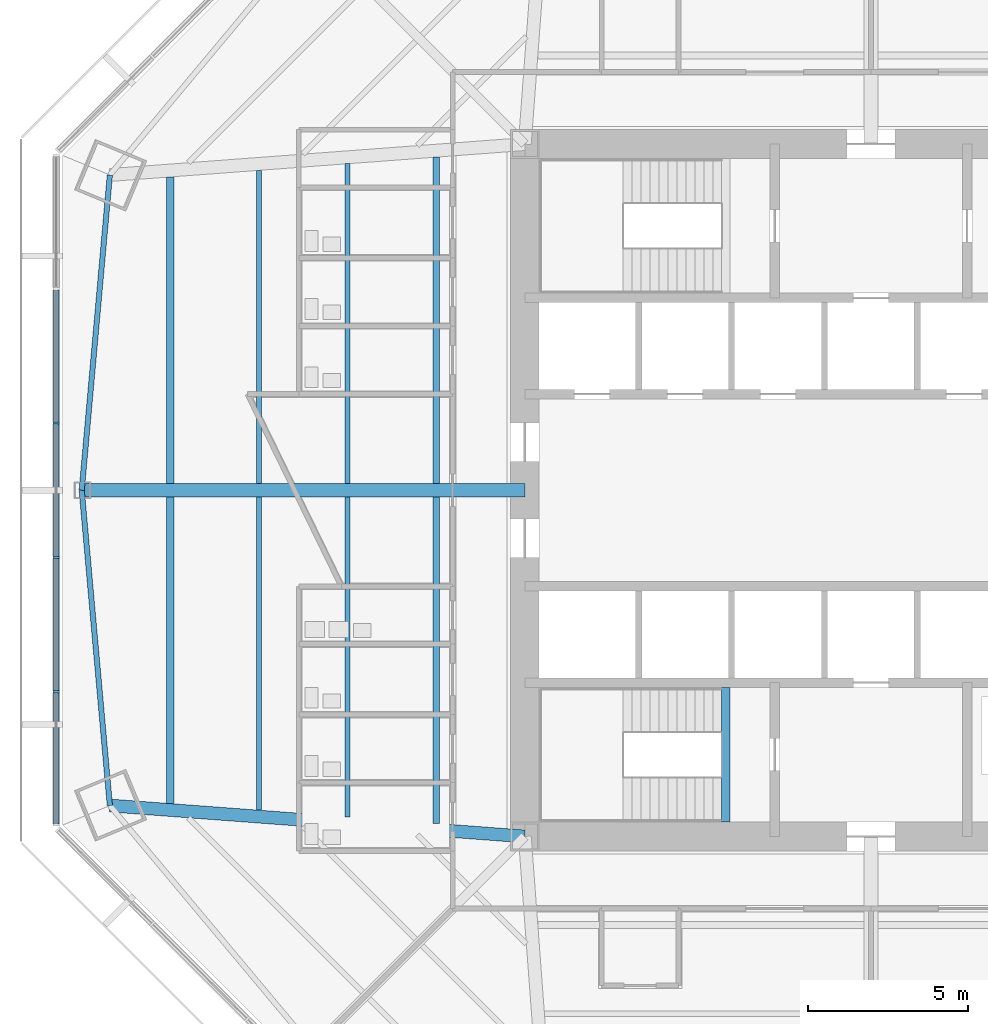
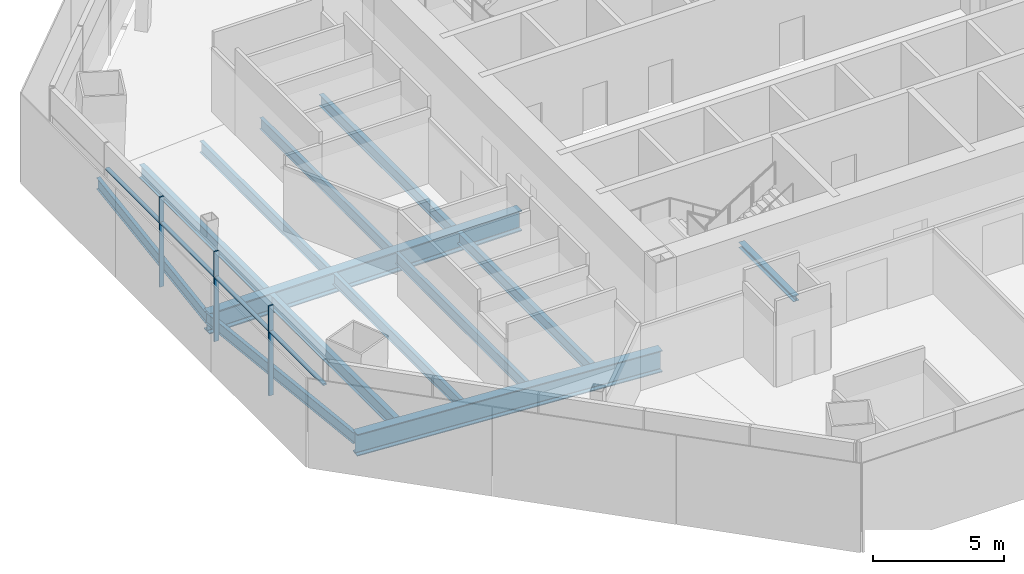
# One storey, part 3 of 17: 13 beams, 7 members, 1 element without a shape of its own.
"""IFC4 building model written with IfcOpenShell, lengths in metres."""

import ifcopenshell
import ifcopenshell.guid

model = None  # the IFC model being written
_history = None  # IfcOwnerHistory: only IFC2X3 demands one
_inside = {}  # id of a spatial element -> (the spatial element, [elements in it])
_under = {}  # id of a project, library or spatial element -> (it, [spatial elements below it])
_declared = {}  # id of a project -> (the project, [libraries it declares])
_typed = {}  # id of a type object -> (the type object, [elements of that type])
_made_of = {}  # id of a material, layer set ... -> (it, [elements and type objects made of it])


def new_model(schema):
    """Start an empty IFC model of exactly this schema.

    Asked for "IFC4X3", IfcOpenShell would pick the latest addendum, in which some entities
    have other attributes; the version numbers below select the first issue.
    IFC2X3 requires an IfcOwnerHistory on every rooted entity: one is made here for all.
    """
    global model, _history
    if schema == "IFC4X3":
        model = ifcopenshell.file(schema_version=(4, 3, 0, 0))
    else:
        model = ifcopenshell.file(schema=schema)
    _inside.clear()
    _under.clear()
    _declared.clear()
    _typed.clear()
    _made_of.clear()
    _history = None
    if model.schema == "IFC2X3":
        org = make("IfcOrganization", Name="unknown")
        user = make(
            "IfcPersonAndOrganization",
            ThePerson=make("IfcPerson", FamilyName="unknown"),
            TheOrganization=org,
        )
        app = make(
            "IfcApplication",
            ApplicationDeveloper=org,
            Version="unknown",
            ApplicationFullName="unknown",
            ApplicationIdentifier="unknown",
        )
        _history = make(
            "IfcOwnerHistory",
            OwningUser=user,
            OwningApplication=app,
            ChangeAction="ADDED",
            CreationDate=0,
        )
    return model


def make(cls, **values):
    """One entity of the class cls with the attributes given. An attribute that is None is left unset."""
    return model.create_entity(
        cls, **{name: value for name, value in values.items() if value is not None}
    )


def rooted(cls, **values):
    """An entity with a GlobalId (a new one), such as an element, a storey or a relation."""
    return make(cls, GlobalId=ifcopenshell.guid.new(), OwnerHistory=_history, **values)


def si_unit(unit_type, name, prefix=None):
    """IfcSIUnit, for example si_unit("LENGTHUNIT", "METRE", prefix="MILLI")."""
    return make("IfcSIUnit", UnitType=unit_type, Prefix=prefix, Name=name)


def assignment(units):
    """IfcUnitAssignment: the units of a project."""
    return None if units is None else make("IfcUnitAssignment", Units=units)


def point(xyz):
    """IfcCartesianPoint."""
    return None if xyz is None else make("IfcCartesianPoint", Coordinates=xyz)


def direction(xyz):
    """IfcDirection."""
    return None if xyz is None else make("IfcDirection", DirectionRatios=xyz)


def frame(location, z_axis=None, x_axis=None):
    """IfcAxis2Placement3D, a coordinate frame: its origin and axes. An axis left out is left unset."""
    return make(
        "IfcAxis2Placement3D",
        Location=point(location),
        Axis=direction(z_axis),
        RefDirection=direction(x_axis),
    )


def frame_2d(location, x_axis=None):
    """IfcAxis2Placement2D, a coordinate frame in the plane: its origin and x axis."""
    return make(
        "IfcAxis2Placement2D", Location=point(location), RefDirection=direction(x_axis)
    )


def origin():
    """The frame at (0, 0, 0) with its axes left unset."""
    return frame((0.0, 0.0, 0.0))


def origin_2d():
    """The frame at (0, 0) in the plane with its x axis left unset."""
    return frame_2d((0.0, 0.0))


def place(relative_to, where):
    """IfcLocalPlacement: puts the frame where relative to a parent placement (None: the world)."""
    return make(
        "IfcLocalPlacement", PlacementRelTo=relative_to, RelativePlacement=where
    )


def context(
    kind, dimensions, precision=None, world=None, true_north=None, identifier=None
):
    """IfcGeometricRepresentationContext, for example the 3D "Model" context."""
    return make(
        "IfcGeometricRepresentationContext",
        ContextIdentifier=identifier,
        ContextType=kind,
        CoordinateSpaceDimension=dimensions,
        Precision=precision,
        WorldCoordinateSystem=world,
        TrueNorth=true_north,
    )


def subcontext(parent, identifier, kind, view, scale=None):
    """IfcGeometricRepresentationSubContext, for example "Body" below "Model"."""
    return make(
        "IfcGeometricRepresentationSubContext",
        ContextIdentifier=identifier,
        ContextType=kind,
        ParentContext=parent,
        TargetScale=scale,
        TargetView=view,
    )


def project(units=None, contexts=None):
    """IfcProject with its units and contexts."""
    return rooted(
        "IfcProject",
        Name="project",
        RepresentationContexts=contexts,
        UnitsInContext=assignment(units),
    )


def spatial(cls, under=None, at=None, **own):
    """A site, building, storey or space (cls), placed at a placement, below another one or the project."""
    s = rooted(cls, ObjectPlacement=at, **own)
    if under is not None:
        _under.setdefault(under.id(), (under, []))[1].append(s)
    return s


def profile(cls, at=None, kind="AREA", **sizes):
    """A parametric profile (cls). Its sizes go by their IFC names, for example OverallWidth=200.0."""
    return make(cls, ProfileType=kind, Position=at, **sizes)


def rectangle(**sizes):
    """IfcRectangleProfileDef."""
    return profile("IfcRectangleProfileDef", **sizes)


def i_section(**sizes):
    """IfcIShapeProfileDef."""
    return profile("IfcIShapeProfileDef", **sizes)


def extrude(swept, where, along, depth):
    """IfcExtrudedAreaSolid: the profile swept, set in the frame where, extruded along a direction by depth."""
    return make(
        "IfcExtrudedAreaSolid",
        SweptArea=swept,
        Position=where,
        ExtrudedDirection=direction(along),
        Depth=depth,
    )


def shape(context_of_items, identifier, shape_type, items):
    """IfcShapeRepresentation: the items that make up one representation, for example the "Body"."""
    return make(
        "IfcShapeRepresentation",
        ContextOfItems=context_of_items,
        RepresentationIdentifier=identifier,
        RepresentationType=shape_type,
        Items=items,
    )


def source(mapping_origin, context_of_items, identifier, shape_type, items):
    """IfcRepresentationMap: a shape defined once, which mapped items show again and again."""
    return make(
        "IfcRepresentationMap",
        MappingOrigin=mapping_origin,
        MappedRepresentation=shape(context_of_items, identifier, shape_type, items),
    )


def transform(
    local_origin,
    x_axis=None,
    y_axis=None,
    z_axis=None,
    scale=None,
    scale2=None,
    scale3=None,
    uniform=True,
):
    """IfcCartesianTransformationOperator3D, or its non-uniform kind. x_axis, y_axis, z_axis: its Axis1, 2, 3."""
    if uniform:
        return make(
            "IfcCartesianTransformationOperator3D",
            Axis1=direction(x_axis),
            Axis2=direction(y_axis),
            LocalOrigin=point(local_origin),
            Scale=scale,
            Axis3=direction(z_axis),
        )
    return make(
        "IfcCartesianTransformationOperator3DnonUniform",
        Axis1=direction(x_axis),
        Axis2=direction(y_axis),
        LocalOrigin=point(local_origin),
        Scale=scale,
        Axis3=direction(z_axis),
        Scale2=scale2,
        Scale3=scale3,
    )


def mapped(mapping_source, mapping_target):
    """IfcMappedItem: shows the shape of a source again, moved by a transform."""
    return make(
        "IfcMappedItem", MappingSource=mapping_source, MappingTarget=mapping_target
    )


def material(Name=None, Category=None):
    """IfcMaterial."""
    return make("IfcMaterial", Name=Name, Category=Category)


def material_profile(
    of_material, cross_section, Name=None, Category=None, Priority=None
):
    """IfcMaterialProfile: a cross section and its material."""
    return make(
        "IfcMaterialProfile",
        Name=Name,
        Material=of_material,
        Profile=cross_section,
        Priority=Priority,
        Category=Category,
    )


def profile_set(profiles, Name=None, composite=None):
    """IfcMaterialProfileSet."""
    return make(
        "IfcMaterialProfileSet",
        Name=Name,
        MaterialProfiles=profiles,
        CompositeProfile=composite,
    )


def made_of(thing, what):
    """Note that an element or type object is made of a material, layer set ...; save() writes the relation."""
    if what is not None:
        _made_of.setdefault(what.id(), (what, []))[1].append(thing)
    return thing


def type_object(cls, material=None, **own):
    """A type object (cls), such as IfcWallType, which elements share."""
    return made_of(rooted(cls, **own), material)


def type_shapes(of_type, sources):
    """Give a type object the sources (RepresentationMaps) that its elements show as mapped items."""
    of_type.RepresentationMaps = sources


def element(
    cls,
    number,
    at=None,
    inside=None,
    cuts=None,
    type_object=None,
    material=None,
    context=None,
    identifier="Body",
    shape_type=None,
    held_by="IfcProductDefinitionShape",
    body=None,
    shapes=None,
    **own,
):
    """One element of the class cls, such as IfcWall. Its Tag is "e" and its number.

    at: its placement. inside: the storey or other place that contains it. cuts: it is an
    opening in that element (IfcRelVoidsElement). A single representation is given by context,
    identifier, shape_type and body (its items); several are given by shapes. held_by: the class
    of the entity that holds the representations. save() writes the other relations.
    """
    e = rooted(cls, Tag="e%d" % number, ObjectPlacement=at, **own)
    if body is not None:
        shapes = [shape(context, identifier, shape_type, body)]
    if shapes is not None:
        e.Representation = make(held_by, Representations=shapes)
    if inside is not None:
        _inside.setdefault(inside.id(), (inside, []))[1].append(e)
    if cuts is not None:
        rooted(
            "IfcRelVoidsElement", RelatingBuildingElement=cuts, RelatedOpeningElement=e
        )
    if type_object is not None:
        _typed.setdefault(type_object.id(), (type_object, []))[1].append(e)
    return made_of(e, material)


def aggregate(whole, parts):
    """IfcRelAggregates: a whole, such as a stair, and the parts it consists of."""
    return rooted("IfcRelAggregates", RelatingObject=whole, RelatedObjects=parts)


def save(model, path):
    """Write the relations noted so far, then the file.

    IfcRelAggregates (storeys below a building ...), IfcRelContainedInSpatialStructure (elements
    in a storey), IfcRelDefinesByType, IfcRelAssociatesMaterial and IfcRelDeclares: one each for
    every whole, place, type object, material and project.
    """
    for whole, parts in _under.values():
        aggregate(whole, parts)
    for where, things in _inside.values():
        rooted(
            "IfcRelContainedInSpatialStructure",
            RelatedElements=things,
            RelatingStructure=where,
        )
    for kind, things in _typed.values():
        rooted("IfcRelDefinesByType", RelatedObjects=things, RelatingType=kind)
    for what, things in _made_of.values():
        rooted("IfcRelAssociatesMaterial", RelatedObjects=things, RelatingMaterial=what)
    for by, libraries in _declared.values():
        rooted("IfcRelDeclares", RelatingContext=by, RelatedDefinitions=libraries)
    model.write(path)


model = new_model("IFC4")

# Units and contexts
model_context = context("Model", 3, precision=1e-05, world=origin(), true_north=direction((0.0, 1.0)))
body_context = subcontext(model_context, "Body", "Model", "MODEL_VIEW")
ifc_project = project(units=[si_unit("LENGTHUNIT", "METRE"), si_unit("AREAUNIT", "SQUARE_METRE"), si_unit("VOLUMEUNIT", "CUBIC_METRE"), si_unit("PLANEANGLEUNIT", "RADIAN"), si_unit("MASSUNIT", "GRAM", prefix="KILO")], contexts=[model_context])

# Site, building, storey
site_placement = place(None, origin())
site = spatial("IfcSite", under=ifc_project, at=site_placement, CompositionType="ELEMENT")
building_placement = place(site_placement, origin())
building = spatial("IfcBuilding", under=site, at=building_placement, Name="Mashrafa Tower", CompositionType="ELEMENT")
storey_placement = place(building_placement, frame((0.0, 0.0, 91.800048828125)))
storey = spatial("IfcBuildingStorey", under=building, at=storey_placement, Name="L20", CompositionType="ELEMENT", Elevation=91.800048828125)

# Beams
ifc_material_1 = material(Name="Steel ASTM A992", Category="steel")
ifc_material_profile_1 = material_profile(ifc_material_1, i_section(OverallWidth=0.165771484375, OverallDepth=0.5283203125, WebThickness=0.009765625, FlangeThickness=0.013671875, FilletRadius=0.012939453125, at=origin_2d()), Name="W21X50")
ifc_profile_set_1 = profile_set([ifc_material_profile_1], Name="Steel ASTM A992")
beam_type_1 = type_object("IfcBeamType", Name="Beam W21X50", PredefinedType="BEAM", material=ifc_profile_set_1)
for number, where, z_axis, x_axis, name in (
    (1, (-19.093505859375, -9.980712890625, -0.42919921875), (0.0, 1.0, 0.0), (-1.0, 0.0, 0.0), "Floor beam L20 004"),
    (2, (-19.093505859375, 0.212158203125, -0.42919921875), (0.0, 1.0, 0.0), (-1.0, 0.0, 0.0), "Floor beam L20 005"),
):
    element("IfcBeam", number, at=place(storey_placement, frame(where, z_axis=z_axis, x_axis=x_axis)), inside=storey, type_object=beam_type_1, Name=name, PredefinedType="BEAM", context=body_context, shape_type="SweptSolid", body=[
        extrude(i_section(OverallWidth=0.165771484375, OverallDepth=0.5283203125, WebThickness=0.009765625, FlangeThickness=0.013671875, FilletRadius=0.012939453125, at=origin_2d()), origin(), (0.0, 0.0, 1.0), 9.7685546875),
    ])
for number, where, z_axis, x_axis, name in (
    (3, (-16.3291015625, -10.186767578125, -0.42919921875), (0.0, 1.0, 0.0), (-1.0, 0.0, 0.0), "Floor beam L20 007"),
    (4, (-16.3291015625, 0.212158203125, -0.42919921875), (0.0, 1.0, 0.0), (-1.0, 0.0, 0.0), "Floor beam L20 008"),
):
    element("IfcBeam", number, at=place(storey_placement, frame(where, z_axis=z_axis, x_axis=x_axis)), inside=storey, type_object=beam_type_1, Name=name, PredefinedType="BEAM", context=body_context, shape_type="SweptSolid", body=[
        extrude(i_section(OverallWidth=0.165771484375, OverallDepth=0.5283203125, WebThickness=0.009765625, FlangeThickness=0.013671875, FilletRadius=0.012939453125, at=origin_2d()), origin(), (0.0, 0.0, 1.0), 9.974609375),
    ])
for number, where, z_axis, x_axis, name in (
    (5, (-24.62255859375, 0.0, -0.42919921875), (0.088935004127, -0.996037431546, 0.0), (0.996037431546, 0.088935004127, 0.0), "Spandrel beam L20 073"),
    (6, (-23.744384765625, 9.835205078125, -0.42919921875), (-0.088935004127, -0.996037431546, 0.0), (0.996037431546, -0.088935004127, 0.0), "Spandrel beam L20 075"),
):
    element("IfcBeam", number, at=place(storey_placement, frame(where, z_axis=z_axis, x_axis=x_axis)), inside=storey, type_object=beam_type_1, Name=name, PredefinedType="BEAM", context=body_context, shape_type="SweptSolid", body=[
        extrude(i_section(OverallWidth=0.165771484375, OverallDepth=0.5283203125, WebThickness=0.009765625, FlangeThickness=0.013671875, FilletRadius=0.012939453125, at=origin_2d()), origin(), (0.0, 0.0, 1.0), 9.874267578125),
    ])
ifc_material_2 = material(Name="Steel ASTM A992", Category="steel")
ifc_material_profile_2 = material_profile(ifc_material_2, i_section(OverallWidth=0.209228515625, OverallDepth=0.533447265625, WebThickness=0.01025390625, FlangeThickness=0.015625, FilletRadius=0.012939453125, at=origin_2d()), Name="W21X62")
ifc_profile_set_2 = profile_set([ifc_material_profile_2], Name="Steel ASTM A992")
beam_type_2 = type_object("IfcBeamType", Name="Beam W21X62", PredefinedType="BEAM", material=ifc_profile_set_2)
for number, where, z_axis, x_axis, name in (
    (7, (-13.564453125, -10.392578125, -0.431640625), (0.0, 1.0, 0.0), (-1.0, 0.0, 0.0), "Floor beam L20 014"),
    (8, (-13.564453125, 0.212158203125, -0.431640625), (0.0, 1.0, 0.0), (-1.0, 0.0, 0.0), "Floor beam L20 015"),
):
    element("IfcBeam", number, at=place(storey_placement, frame(where, z_axis=z_axis, x_axis=x_axis)), inside=storey, type_object=beam_type_2, Name=name, PredefinedType="BEAM", context=body_context, shape_type="SweptSolid", body=[
        extrude(i_section(OverallWidth=0.209228515625, OverallDepth=0.533447265625, WebThickness=0.01025390625, FlangeThickness=0.015625, FilletRadius=0.012939453125, at=origin_2d()), origin(), (0.0, 0.0, 1.0), 10.180419921875),
    ])
ifc_material_3 = material(Name="Steel ASTM A992", Category="steel")
ifc_material_profile_3 = material_profile(ifc_material_3, i_section(OverallWidth=0.227783203125, OverallDepth=0.60205078125, WebThickness=0.010498046875, FlangeThickness=0.014892578125, FilletRadius=0.012939453125, at=origin_2d()), Name="W24X68")
ifc_profile_set_3 = profile_set([ifc_material_profile_3], Name="Steel ASTM A992")
beam_type_3 = type_object("IfcBeamType", Name="Beam W24X68", PredefinedType="BEAM", material=ifc_profile_set_3)
for number, where, z_axis, x_axis, name in (
    (9, (-21.85791015625, -9.774658203125, -0.466064453125), (0.0, 1.0, 0.0), (-1.0, 0.0, 0.0), "Floor beam L20 001"),
    (10, (-21.85791015625, 0.212158203125, -0.466064453125), (0.0, 1.0, 0.0), (-1.0, 0.0, 0.0), "Floor beam L20 002"),
):
    element("IfcBeam", number, at=place(storey_placement, frame(where, z_axis=z_axis, x_axis=x_axis)), inside=storey, type_object=beam_type_3, Name=name, PredefinedType="BEAM", context=body_context, shape_type="SweptSolid", body=[
        extrude(i_section(OverallWidth=0.227783203125, OverallDepth=0.60205078125, WebThickness=0.010498046875, FlangeThickness=0.014892578125, FilletRadius=0.012939453125, at=origin_2d()), origin(), (0.0, 0.0, 1.0), 9.5625),
    ])
ifc_material_4 = material(Name="Steel ASTM A992", Category="steel")
ifc_material_profile_4 = material_profile(ifc_material_4, i_section(OverallWidth=0.424072265625, OverallDepth=0.960205078125, WebThickness=0.028564453125, FlangeThickness=0.051025390625, FilletRadius=0.02001953125, at=origin_2d()), Name="W36X361")
ifc_profile_set_4 = profile_set([ifc_material_profile_4], Name="Steel ASTM A992")
beam_type_4 = type_object("IfcBeamType", Name="Beam W36X361", PredefinedType="BEAM", material=ifc_profile_set_4)
beam_1_placement = place(storey_placement, frame((-10.800048828125, 0.0, -0.64501953125), z_axis=(-1.0, 0.0, 0.0), x_axis=(0.0, -1.0, 0.0)))
element("IfcBeam", 11, at=beam_1_placement, inside=storey, type_object=beam_type_4, Name="Radial girder L20 060", PredefinedType="BEAM", context=body_context, shape_type="SweptSolid", body=[
    extrude(i_section(OverallWidth=0.424072265625, OverallDepth=0.960205078125, WebThickness=0.028564453125, FlangeThickness=0.051025390625, FilletRadius=0.02001953125, at=origin_2d()), origin(), (0.0, 0.0, 1.0), 13.822509765625),
])
ifc_material_5 = material(Name="Steel ASTM A992", Category="steel")
ifc_material_profile_5 = material_profile(ifc_material_5, i_section(OverallWidth=0.4013671875, OverallDepth=1.010986328125, WebThickness=0.023681640625, FlangeThickness=0.0419921875, FilletRadius=0.02001953125, at=origin_2d()), Name="W40X297")
ifc_profile_set_5 = profile_set([ifc_material_profile_5], Name="Steel ASTM A992")
beam_type_5 = type_object("IfcBeamType", Name="Beam W40X297", PredefinedType="BEAM", material=ifc_profile_set_5)
beam_2_placement = place(storey_placement, frame((-10.800048828125, -10.800048828125, -0.67041015625), z_axis=(-0.997233572145, 0.074331706471, 0.0), x_axis=(-0.074331706471, -0.997233572145, 0.0)))
element("IfcBeam", 12, at=beam_2_placement, inside=storey, type_object=beam_type_5, Name="Radial girder L20 057", PredefinedType="BEAM", context=body_context, shape_type="SweptSolid", body=[
    extrude(i_section(OverallWidth=0.4013671875, OverallDepth=1.010986328125, WebThickness=0.023681640625, FlangeThickness=0.0419921875, FilletRadius=0.02001953125, at=origin_2d()), origin(), (0.0, 0.0, 1.0), 12.980224609375),
])
ifc_material_6 = material(Name="Steel ASTM A992", Category="steel")
ifc_material_profile_6 = material_profile(ifc_material_6, i_section(OverallWidth=0.25390625, OverallDepth=0.25390625, WebThickness=0.008544921875, FlangeThickness=0.01416015625, FilletRadius=0.010009765625, at=origin_2d()), Name="W10X49")
ifc_profile_set_6 = profile_set([ifc_material_profile_6], Name="Steel ASTM A992")
beam_type_6 = type_object("IfcBeamType", Name="Hoistway beam W10X49", PredefinedType="BEAM", material=ifc_profile_set_6)
beam_3_placement = place(storey_placement, frame((-4.530029296875, -10.35009765625, -0.3271484375), z_axis=(0.0, 1.0, 0.0), x_axis=(-1.0, 0.0, 0.0)))
element("IfcBeam", 13, at=beam_3_placement, inside=storey, type_object=beam_type_6, Name="Stair S3 landing beam L20", PredefinedType="BEAM", context=body_context, shape_type="SweptSolid", body=[
    extrude(i_section(OverallWidth=0.25390625, OverallDepth=0.25390625, WebThickness=0.008544921875, FlangeThickness=0.01416015625, FilletRadius=0.010009765625, at=origin_2d()), origin(), (0.0, 0.0, 1.0), 4.2001953125),
])

# Curtain wall, members
ifc_material_7 = material(Name="Unitised aluminium curtain wall", Category="aluminium")
curtain_wall_type = type_object("IfcCurtainWallType", Name="Office curtain wall, zone 1 CW-A 200 deep", PredefinedType="NOTDEFINED", material=ifc_material_7)
curtain_wall_placement = place(storey_placement, origin())
curtain_wall = element("IfcCurtainWall", 14, at=curtain_wall_placement, inside=storey, type_object=curtain_wall_type, Name="Office curtain wall, zone 1 L20 west", PredefinedType="NOTDEFINED")
ifc_material_8 = material(Name="Extruded aluminium mullion", Category="aluminium")
ifc_material_profile_7 = material_profile(ifc_material_8, rectangle(XDim=0.199951171875, YDim=0.06494140625, at=origin_2d()), Name="Mullion 65x200")
ifc_profile_set_7 = profile_set([ifc_material_profile_7], Name="Extruded aluminium mullion")
member_type_1 = type_object("IfcMemberType", Name="Mullion CW-A 65 x 200", PredefinedType="MULLION", material=ifc_profile_set_7)
shared_shape_1 = source(origin(), body_context, "Body", "SweptSolid", [
    extrude(rectangle(XDim=0.199951171875, YDim=0.06494140625, at=origin_2d()), origin(), (0.0, 0.0, 1.0), 4.199951171875),
])
type_shapes(member_type_1, [shared_shape_1])
member_1_placement = place(storey_placement, frame((-25.417724609375, 2.095458984375, 0.0), z_axis=(0.0, 0.0, 1.0), x_axis=(1.0, 0.0, 0.0)))
member_1 = element("IfcMember", 15, at=member_1_placement, type_object=member_type_1, Name="CW-A mullion 3", PredefinedType="MULLION", context=body_context, shape_type="MappedRepresentation", body=[
    mapped(shared_shape_1, transform((0.0, 0.0, 0.0))),
])
member_2_placement = place(storey_placement, frame((-25.417724609375, -2.095458984375, 0.0), z_axis=(0.0, 0.0, 1.0), x_axis=(1.0, 0.0, 0.0)))
member_2 = element("IfcMember", 16, at=member_2_placement, type_object=member_type_1, Name="CW-A mullion 4", PredefinedType="MULLION", context=body_context, shape_type="MappedRepresentation", body=[
    mapped(shared_shape_1, transform((0.0, 0.0, 0.0))),
])
member_3_placement = place(storey_placement, frame((-25.417724609375, -6.2861328125, 0.0), z_axis=(0.0, 0.0, 1.0), x_axis=(1.0, 0.0, 0.0)))
member_3 = element("IfcMember", 17, at=member_3_placement, type_object=member_type_1, Name="CW-A mullion 5", PredefinedType="MULLION", context=body_context, shape_type="MappedRepresentation", body=[
    mapped(shared_shape_1, transform((0.0, 0.0, 0.0))),
])
ifc_material_9 = material(Name="Extruded aluminium transom", Category="aluminium")
ifc_material_profile_8 = material_profile(ifc_material_9, rectangle(XDim=0.159912109375, YDim=0.080078125, at=origin_2d()), Name="Transom 80x160")
ifc_profile_set_8 = profile_set([ifc_material_profile_8], Name="Extruded aluminium transom")
member_type_2 = type_object("IfcMemberType", Name="Transom CW-A 80 x 160", PredefinedType="MULLION", material=ifc_profile_set_8)
shared_shape_2 = source(origin(), body_context, "Body", "SweptSolid", [
    extrude(rectangle(XDim=0.159912109375, YDim=0.080078125, at=origin_2d()), origin(), (0.0, 0.0, 1.0), 4.09326171875),
])
member_4_placement = place(storey_placement, frame((-25.417724609375, -6.318603515625, 3.0), z_axis=(0.0, -1.0, 0.0), x_axis=(1.0, 0.0, 0.0)))
member_4 = element("IfcMember", 18, at=member_4_placement, type_object=member_type_2, Name="CW-A transom 5", PredefinedType="MULLION", context=body_context, shape_type="MappedRepresentation", body=[
    mapped(shared_shape_2, transform((0.0, 0.0, 0.0))),
])
shared_shape_3 = source(origin(), body_context, "Body", "SweptSolid", [
    extrude(rectangle(XDim=0.159912109375, YDim=0.080078125, at=origin_2d()), origin(), (0.0, 0.0, 1.0), 4.125732421875),
])
member_5_placement = place(storey_placement, frame((-25.417724609375, 6.253662109375, 3.0), z_axis=(0.0, -1.0, 0.0), x_axis=(1.0, 0.0, 0.0)))
member_5 = element("IfcMember", 19, at=member_5_placement, type_object=member_type_2, Name="CW-A transom 2", PredefinedType="MULLION", context=body_context, shape_type="MappedRepresentation", body=[
    mapped(shared_shape_3, transform((0.0, 0.0, 0.0))),
])
member_6_placement = place(storey_placement, frame((-25.417724609375, -2.1279296875, 3.0), z_axis=(0.0, -1.0, 0.0), x_axis=(1.0, 0.0, 0.0)))
member_6 = element("IfcMember", 20, at=member_6_placement, type_object=member_type_2, Name="CW-A transom 4", PredefinedType="MULLION", context=body_context, shape_type="MappedRepresentation", body=[
    mapped(shared_shape_3, transform((0.0, 0.0, 0.0))),
])
shared_shape_4 = source(origin(), body_context, "Body", "SweptSolid", [
    extrude(rectangle(XDim=0.159912109375, YDim=0.080078125, at=origin_2d()), origin(), (0.0, 0.0, 1.0), 4.1259765625),
])
type_shapes(member_type_2, [shared_shape_2, shared_shape_3, shared_shape_4])
member_7_placement = place(storey_placement, frame((-25.417724609375, 2.06298828125, 3.0), z_axis=(0.0, -1.0, 0.0), x_axis=(1.0, 0.0, 0.0)))
member_7 = element("IfcMember", 21, at=member_7_placement, type_object=member_type_2, Name="CW-A transom 3", PredefinedType="MULLION", context=body_context, shape_type="MappedRepresentation", body=[
    mapped(shared_shape_4, transform((0.0, 0.0, 0.0))),
])
aggregate(curtain_wall, [member_1, member_2, member_3, member_5, member_7, member_6, member_4])

save(model, "model.ifc")
